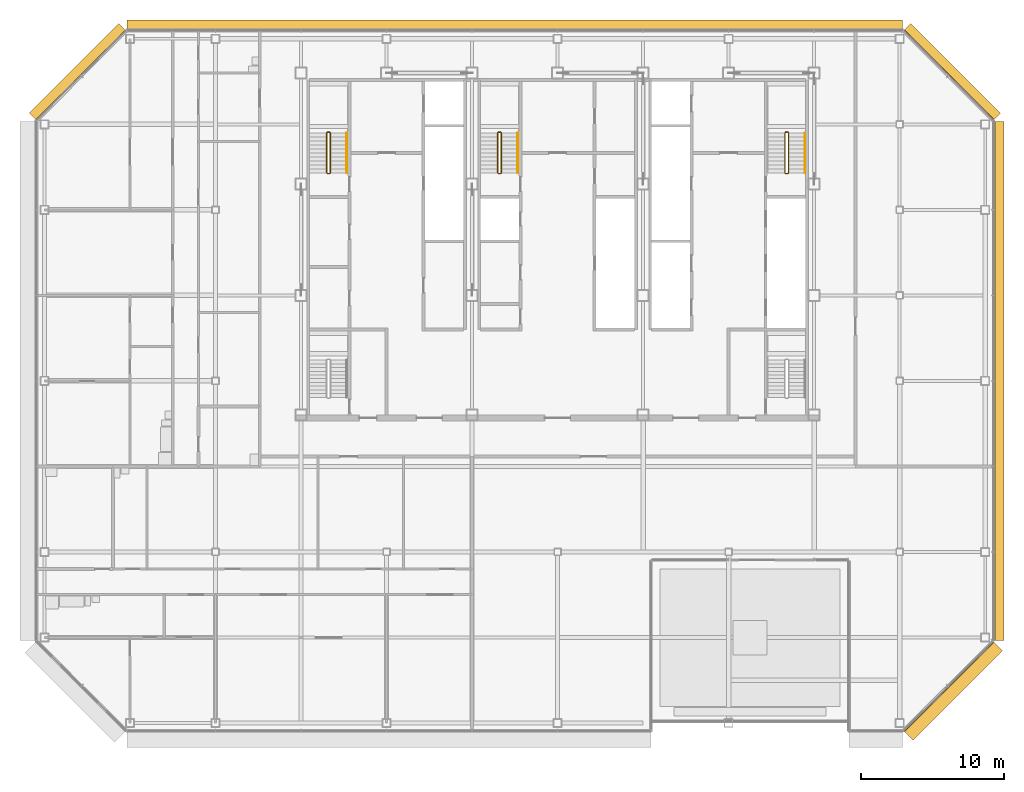
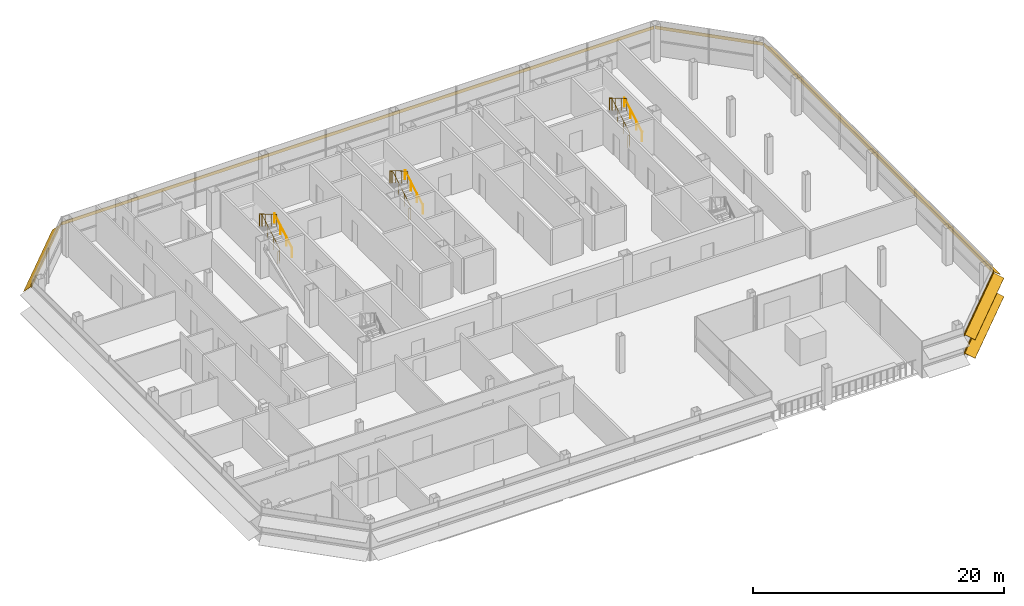
# One storey, part 28 of 30: 6 railings, 5 shading devices.
"""IFC4 building model written with IfcOpenShell, lengths in metres."""

from ifc_helpers import new_model, si_unit, direction, frame, origin, origin_2d, place, context, subcontext, project, spatial, polyline, circle, outline, composite_profile, extrude, material, type_object, element, save


model = new_model("IFC4")

# Units and contexts
model_context = context("Model", 3, precision=1e-05, world=origin(), true_north=direction((0.0, 1.0)))
body_context = subcontext(model_context, "Body", "Model", "MODEL_VIEW")
ifc_project = project(units=[si_unit("LENGTHUNIT", "METRE"), si_unit("AREAUNIT", "SQUARE_METRE"), si_unit("VOLUMEUNIT", "CUBIC_METRE"), si_unit("PLANEANGLEUNIT", "RADIAN"), si_unit("MASSUNIT", "GRAM", prefix="KILO")], contexts=[model_context])

# Site, building, storey
site_placement = place(None, origin())
site = spatial("IfcSite", under=ifc_project, at=site_placement, CompositionType="ELEMENT")
building_placement = place(site_placement, origin())
building = spatial("IfcBuilding", under=site, at=building_placement, Name="Sorahane Residences", CompositionType="ELEMENT")
storey_placement = place(building_placement, frame((0.0, 0.0, 263.0)))
storey = spatial("IfcBuildingStorey", under=building, at=storey_placement, Name="L62", CompositionType="ELEMENT", Elevation=263.0)

# Shading devices
ifc_material_1 = material(Name="Terracotta anodised aluminium", Category="masonry")
shading_device_type_1 = type_object("IfcShadingDeviceType", Name="Louvre sunshade blade E terracotta aluminium 700", PredefinedType="JALOUSIE", material=ifc_material_1)
shading_device_1_placement = place(storey_placement, frame((54.60009765625, 5.801513671875, 2.699951171875), z_axis=(0.0, 1.0, 0.0), x_axis=(-1.0, 0.0, 0.0)))
element("IfcShadingDevice", 1, at=shading_device_1_placement, inside=storey, type_object=shading_device_type_1, Name="Louvre sunshade blade bank E L62 E2", PredefinedType="JALOUSIE", context=body_context, shape_type="SweptSolid", body=[
    extrude(outline(polyline([(-0.719970703125, -0.49365234375), (-0.719970703125, -0.523681640625), (-0.080078125, -0.05859375), (-0.080078125, -0.14990234375), (-0.02001953125, -0.14990234375), (-0.02001953125, -0.014892578125), (-0.02001953125, 0.014892578125), (-0.02001953125, 0.14990234375), (-0.080078125, 0.14990234375), (-0.080078125, -0.028564453125), (-0.719970703125, -0.49365234375)])), origin(), (0.0, 0.0, 1.0), 36.39697265625),
])
ifc_material_2 = material(Name="Terracotta anodised aluminium", Category="masonry")
shading_device_type_2 = type_object("IfcShadingDeviceType", Name="Louvre sunshade blade N terracotta aluminium 700", PredefinedType="JALOUSIE", material=ifc_material_2)
shading_device_2_placement = place(storey_placement, frame((48.198486328125, 48.60009765625, 2.699951171875), z_axis=(-1.0, 0.0, 0.0), x_axis=(0.0, -1.0, 0.0)))
element("IfcShadingDevice", 2, at=shading_device_2_placement, inside=storey, type_object=shading_device_type_2, Name="Louvre sunshade blade bank N L62 N1", PredefinedType="JALOUSIE", context=body_context, shape_type="SweptSolid", body=[
    extrude(outline(polyline([(-0.719970703125, -0.660888671875), (-0.719970703125, -0.69091796875), (-0.080078125, -0.072998046875), (-0.080078125, -0.14990234375), (-0.02001953125, -0.14990234375), (-0.02001953125, -0.014892578125), (-0.02001953125, 0.014892578125), (-0.02001953125, 0.14990234375), (-0.080078125, 0.14990234375), (-0.080078125, -0.04296875), (-0.719970703125, -0.660888671875)])), origin(), (0.0, 0.0, 1.0), 54.39697265625),
])
ifc_material_3 = material(Name="Terracotta anodised aluminium", Category="masonry")
shading_device_type_3 = type_object("IfcShadingDeviceType", Name="Louvre sunshade blade NE terracotta aluminium 700", PredefinedType="JALOUSIE", material=ifc_material_3)
shading_device_3_placement = place(storey_placement, frame((54.564697265625, 42.283935546875, 2.699951171875), z_axis=(-0.707106781187, 0.707106781187, 0.0), x_axis=(-0.707106781187, -0.707106781187, 0.0)))
element("IfcShadingDevice", 3, at=shading_device_3_placement, inside=storey, type_object=shading_device_type_3, Name="Louvre sunshade blade bank NE L62 NE1", PredefinedType="JALOUSIE", context=body_context, shape_type="SweptSolid", body=[
    extrude(outline(polyline([(-0.719970703125, -0.572509765625), (-0.719970703125, -0.602294921875), (-0.080078125, -0.065185546875), (-0.080078125, -0.14990234375), (-0.02001953125, -0.14990234375), (-0.02001953125, -0.014892578125), (-0.02001953125, 0.014892578125), (-0.02001953125, 0.14990234375), (-0.080078125, 0.14990234375), (-0.080078125, -0.035400390625), (-0.719970703125, -0.572509765625)])), origin(), (0.0, 0.0, 1.0), 8.88232421875),
])
ifc_material_4 = material(Name="Terracotta anodised aluminium", Category="masonry")
shading_device_type_4 = type_object("IfcShadingDeviceType", Name="Louvre sunshade blade NW terracotta aluminium 700", PredefinedType="JALOUSIE", material=ifc_material_4)
shading_device_4_placement = place(storey_placement, frame((-6.283935546875, 48.564697265625, 2.699951171875), z_axis=(-0.707106781187, -0.707106781187, 0.0), x_axis=(0.707106781187, -0.707106781187, 0.0)))
element("IfcShadingDevice", 4, at=shading_device_4_placement, inside=storey, type_object=shading_device_type_4, Name="Louvre sunshade blade bank NW L62 NW1", PredefinedType="JALOUSIE", context=body_context, shape_type="SweptSolid", body=[
    extrude(outline(polyline([(-0.719970703125, -0.660888671875), (-0.719970703125, -0.69091796875), (-0.080078125, -0.072998046875), (-0.080078125, -0.14990234375), (-0.02001953125, -0.14990234375), (-0.02001953125, -0.014892578125), (-0.02001953125, 0.014892578125), (-0.02001953125, 0.14990234375), (-0.080078125, 0.14990234375), (-0.080078125, -0.04296875), (-0.719970703125, -0.660888671875)])), origin(), (0.0, 0.0, 1.0), 8.88232421875),
])
ifc_material_5 = material(Name="Terracotta anodised aluminium", Category="masonry")
shading_device_type_5 = type_object("IfcShadingDeviceType", Name="Louvre sunshade blade SE terracotta aluminium 900", PredefinedType="JALOUSIE", material=ifc_material_5)
shading_device_5_placement = place(storey_placement, frame((48.283935546875, -0.564697265625, 0.89990234375), z_axis=(0.707106781187, 0.707106781187, 0.0), x_axis=(-0.707106781187, 0.707106781187, 0.0)))
element("IfcShadingDevice", 5, at=shading_device_5_placement, inside=storey, type_object=shading_device_type_5, Name="Louvre sunshade blade bank SE L62 SE1", PredefinedType="JALOUSIE", context=body_context, shape_type="SweptSolid", body=[
    extrude(composite_profile([outline(polyline([(-0.919921875, -0.3486328125), (-0.919921875, -0.378662109375), (-0.080078125, -0.039306640625), (-0.080078125, -0.14990234375), (-0.02001953125, -0.14990234375), (-0.02001953125, -0.014892578125), (-0.02001953125, 0.014892578125), (-0.02001953125, 0.14990234375), (-0.080078125, 0.14990234375), (-0.080078125, -0.00927734375), (-0.919921875, -0.3486328125)])), outline(polyline([(-0.919921875, 1.451416015625), (-0.919921875, 1.42138671875), (-0.080078125, 1.7607421875), (-0.080078125, 1.64990234375), (-0.02001953125, 1.64990234375), (-0.02001953125, 1.784912109375), (-0.02001953125, 1.81494140625), (-0.02001953125, 1.949951171875), (-0.080078125, 1.949951171875), (-0.080078125, 1.790771484375), (-0.919921875, 1.451416015625)]))]), origin(), (0.0, 0.0, 1.0), 8.88232421875),
])

# Railings
ifc_material_6 = material(Name="Steel Q355B", Category="steel")
railing_type_1 = type_object("IfcRailingType", Name="Stair guard 1200 Steel Q355B", PredefinedType="GUARDRAIL", material=ifc_material_6)
railing_1_placement = place(storey_placement, frame((7.85009765625, 38.550048828125, 0.0)))
element("IfcRailing", 6, at=railing_1_placement, inside=storey, type_object=railing_type_1, Name="L62 S1 stair guard 1", PredefinedType="GUARDRAIL", context=body_context, shape_type="SweptSolid", body=[
    extrude(circle(Radius=0.02392578125, at=origin_2d()), frame((0.0, 0.0, 1.17578125), z_axis=(1.0, 0.0, 0.0), x_axis=(0.0, 1.0, 0.0)), (0.0, 0.0, 1.0), 0.14990234375),
    extrude(circle(Radius=0.02392578125, at=origin_2d()), frame((0.14990234375, 0.0, 1.17578125), z_axis=(0.280808744504, 0.280808744504, 0.917765164963), x_axis=(-0.707106781187, 0.707106781187, 0.0)), (0.0, 0.0, 1.0), 0.17822265625),
    extrude(circle(Radius=0.02392578125, at=origin_2d()), frame((0.199951171875, 0.050048828125, 1.33935546875), z_axis=(0.0, 0.863341702679, 0.504619762213), x_axis=(-1.0, 0.0, 0.0)), (0.0, 0.0, 1.0), 3.242919921875),
    extrude(circle(Radius=0.02392578125, at=origin_2d()), frame((0.199951171875, 2.849853515625, 2.97607421875), z_axis=(-0.707106781187, 0.707106781187, 0.0), x_axis=(-0.707106781187, -0.707106781187, 0.0)), (0.0, 0.0, 1.0), 0.07080078125),
    extrude(circle(Radius=0.02392578125, at=origin_2d()), frame((0.14990234375, 2.89990234375, 2.97607421875), z_axis=(-1.0, 0.0, 0.0), x_axis=(0.0, -1.0, 0.0)), (0.0, 0.0, 1.0), 0.14990234375),
    extrude(circle(Radius=0.02392578125, at=origin_2d()), frame((0.0, 2.89990234375, 2.97607421875), z_axis=(-0.280808744504, -0.280808744504, 0.917765164963), x_axis=(0.707106781187, -0.707106781187, 0.0)), (0.0, 0.0, 1.0), 0.17822265625),
    extrude(circle(Radius=0.02392578125, at=origin_2d()), frame((-0.050048828125, 2.849853515625, 3.1396484375), z_axis=(0.0, -0.863341702679, 0.504619762213), x_axis=(1.0, 0.0, 0.0)), (0.0, 0.0, 1.0), 3.242919921875),
    extrude(circle(Radius=0.02099609375, at=origin_2d()), origin(), (0.0, 0.0, 1.0), 1.15185546875),
    extrude(circle(Radius=0.02099609375, at=origin_2d()), frame((0.14990234375, 0.0, 0.0)), (0.0, 0.0, 1.0), 1.15185546875),
    extrude(circle(Radius=0.02099609375, at=origin_2d()), frame((0.199951171875, 0.050048828125, 0.16357421875)), (0.0, 0.0, 1.0), 1.15185546875),
    extrude(circle(Radius=0.02099609375, at=origin_2d()), frame((0.199951171875, 0.9833984375, 0.708984375)), (0.0, 0.0, 1.0), 1.15185546875),
    extrude(circle(Radius=0.02099609375, at=origin_2d()), frame((0.199951171875, 1.91650390625, 1.254638671875)), (0.0, 0.0, 1.0), 1.15185546875),
    extrude(circle(Radius=0.02099609375, at=origin_2d()), frame((0.199951171875, 2.849853515625, 1.800048828125)), (0.0, 0.0, 1.0), 1.15185546875),
    extrude(circle(Radius=0.02099609375, at=origin_2d()), frame((0.14990234375, 2.89990234375, 1.800048828125)), (0.0, 0.0, 1.0), 1.15185546875),
    extrude(circle(Radius=0.02099609375, at=origin_2d()), frame((0.0, 2.89990234375, 1.800048828125)), (0.0, 0.0, 1.0), 1.15185546875),
    extrude(circle(Radius=0.02099609375, at=origin_2d()), frame((-0.050048828125, 2.849853515625, 1.963623046875)), (0.0, 0.0, 1.0), 1.15185546875),
    extrude(circle(Radius=0.02099609375, at=origin_2d()), frame((-0.050048828125, 1.91650390625, 2.509033203125)), (0.0, 0.0, 1.0), 1.15185546875),
    extrude(circle(Radius=0.02099609375, at=origin_2d()), frame((-0.050048828125, 0.9833984375, 3.0546875)), (0.0, 0.0, 1.0), 1.15185546875),
    extrude(circle(Radius=0.02099609375, at=origin_2d()), frame((-0.050048828125, 0.050048828125, 3.60009765625)), (0.0, 0.0, 1.0), 1.15185546875),
])
railing_2_placement = place(storey_placement, frame((40.0, 38.550048828125, 0.0)))
element("IfcRailing", 7, at=railing_2_placement, inside=storey, type_object=railing_type_1, Name="L62 S2 stair guard 1", PredefinedType="GUARDRAIL", context=body_context, shape_type="SweptSolid", body=[
    extrude(circle(Radius=0.02392578125, at=origin_2d()), frame((0.0, 0.0, 1.17578125), z_axis=(1.0, 0.0, 0.0), x_axis=(0.0, 1.0, 0.0)), (0.0, 0.0, 1.0), 0.14990234375),
    extrude(circle(Radius=0.02392578125, at=origin_2d()), frame((0.14990234375, 0.0, 1.17578125), z_axis=(0.280808744504, 0.280808744504, 0.917765164963), x_axis=(-0.707106781187, 0.707106781187, 0.0)), (0.0, 0.0, 1.0), 0.17822265625),
    extrude(circle(Radius=0.02392578125, at=origin_2d()), frame((0.199951171875, 0.050048828125, 1.33935546875), z_axis=(0.0, 0.863341702679, 0.504619762213), x_axis=(-1.0, 0.0, 0.0)), (0.0, 0.0, 1.0), 3.242919921875),
    extrude(circle(Radius=0.02392578125, at=origin_2d()), frame((0.199951171875, 2.849853515625, 2.97607421875), z_axis=(-0.707106781187, 0.707106781187, 0.0), x_axis=(-0.707106781187, -0.707106781187, 0.0)), (0.0, 0.0, 1.0), 0.07080078125),
    extrude(circle(Radius=0.02392578125, at=origin_2d()), frame((0.14990234375, 2.89990234375, 2.97607421875), z_axis=(-1.0, 0.0, 0.0), x_axis=(0.0, -1.0, 0.0)), (0.0, 0.0, 1.0), 0.14990234375),
    extrude(circle(Radius=0.02392578125, at=origin_2d()), frame((0.0, 2.89990234375, 2.97607421875), z_axis=(-0.280808744504, -0.280808744504, 0.917765164963), x_axis=(0.707106781187, -0.707106781187, 0.0)), (0.0, 0.0, 1.0), 0.17822265625),
    extrude(circle(Radius=0.02392578125, at=origin_2d()), frame((-0.050048828125, 2.849853515625, 3.1396484375), z_axis=(0.0, -0.863341702679, 0.504619762213), x_axis=(1.0, 0.0, 0.0)), (0.0, 0.0, 1.0), 3.242919921875),
    extrude(circle(Radius=0.02099609375, at=origin_2d()), origin(), (0.0, 0.0, 1.0), 1.15185546875),
    extrude(circle(Radius=0.02099609375, at=origin_2d()), frame((0.14990234375, 0.0, 0.0)), (0.0, 0.0, 1.0), 1.15185546875),
    extrude(circle(Radius=0.02099609375, at=origin_2d()), frame((0.199951171875, 0.050048828125, 0.16357421875)), (0.0, 0.0, 1.0), 1.15185546875),
    extrude(circle(Radius=0.02099609375, at=origin_2d()), frame((0.199951171875, 0.9833984375, 0.708984375)), (0.0, 0.0, 1.0), 1.15185546875),
    extrude(circle(Radius=0.02099609375, at=origin_2d()), frame((0.199951171875, 1.91650390625, 1.254638671875)), (0.0, 0.0, 1.0), 1.15185546875),
    extrude(circle(Radius=0.02099609375, at=origin_2d()), frame((0.199951171875, 2.849853515625, 1.800048828125)), (0.0, 0.0, 1.0), 1.15185546875),
    extrude(circle(Radius=0.02099609375, at=origin_2d()), frame((0.14990234375, 2.89990234375, 1.800048828125)), (0.0, 0.0, 1.0), 1.15185546875),
    extrude(circle(Radius=0.02099609375, at=origin_2d()), frame((0.0, 2.89990234375, 1.800048828125)), (0.0, 0.0, 1.0), 1.15185546875),
    extrude(circle(Radius=0.02099609375, at=origin_2d()), frame((-0.050048828125, 2.849853515625, 1.963623046875)), (0.0, 0.0, 1.0), 1.15185546875),
    extrude(circle(Radius=0.02099609375, at=origin_2d()), frame((-0.050048828125, 1.91650390625, 2.509033203125)), (0.0, 0.0, 1.0), 1.15185546875),
    extrude(circle(Radius=0.02099609375, at=origin_2d()), frame((-0.050048828125, 0.9833984375, 3.0546875)), (0.0, 0.0, 1.0), 1.15185546875),
    extrude(circle(Radius=0.02099609375, at=origin_2d()), frame((-0.050048828125, 0.050048828125, 3.60009765625)), (0.0, 0.0, 1.0), 1.15185546875),
])
railing_3_placement = place(storey_placement, frame((19.85009765625, 38.550048828125, 0.0)))
element("IfcRailing", 8, at=railing_3_placement, inside=storey, type_object=railing_type_1, Name="L62 S3 stair guard 1", PredefinedType="GUARDRAIL", context=body_context, shape_type="SweptSolid", body=[
    extrude(circle(Radius=0.02392578125, at=origin_2d()), frame((0.0, 0.0, 1.17578125), z_axis=(1.0, 0.0, 0.0), x_axis=(0.0, 1.0, 0.0)), (0.0, 0.0, 1.0), 0.14990234375),
    extrude(circle(Radius=0.02392578125, at=origin_2d()), frame((0.14990234375, 0.0, 1.17578125), z_axis=(0.280808744504, 0.280808744504, 0.917765164963), x_axis=(-0.707106781187, 0.707106781187, 0.0)), (0.0, 0.0, 1.0), 0.17822265625),
    extrude(circle(Radius=0.02392578125, at=origin_2d()), frame((0.199951171875, 0.050048828125, 1.33935546875), z_axis=(0.0, 0.863341702679, 0.504619762213), x_axis=(-1.0, 0.0, 0.0)), (0.0, 0.0, 1.0), 3.242919921875),
    extrude(circle(Radius=0.02392578125, at=origin_2d()), frame((0.199951171875, 2.849853515625, 2.97607421875), z_axis=(-0.707106781187, 0.707106781187, 0.0), x_axis=(-0.707106781187, -0.707106781187, 0.0)), (0.0, 0.0, 1.0), 0.07080078125),
    extrude(circle(Radius=0.02392578125, at=origin_2d()), frame((0.14990234375, 2.89990234375, 2.97607421875), z_axis=(-1.0, 0.0, 0.0), x_axis=(0.0, -1.0, 0.0)), (0.0, 0.0, 1.0), 0.14990234375),
    extrude(circle(Radius=0.02392578125, at=origin_2d()), frame((0.0, 2.89990234375, 2.97607421875), z_axis=(-0.280808744504, -0.280808744504, 0.917765164963), x_axis=(0.707106781187, -0.707106781187, 0.0)), (0.0, 0.0, 1.0), 0.17822265625),
    extrude(circle(Radius=0.02392578125, at=origin_2d()), frame((-0.050048828125, 2.849853515625, 3.1396484375), z_axis=(0.0, -0.863341702679, 0.504619762213), x_axis=(1.0, 0.0, 0.0)), (0.0, 0.0, 1.0), 3.242919921875),
    extrude(circle(Radius=0.02099609375, at=origin_2d()), origin(), (0.0, 0.0, 1.0), 1.15185546875),
    extrude(circle(Radius=0.02099609375, at=origin_2d()), frame((0.14990234375, 0.0, 0.0)), (0.0, 0.0, 1.0), 1.15185546875),
    extrude(circle(Radius=0.02099609375, at=origin_2d()), frame((0.199951171875, 0.050048828125, 0.16357421875)), (0.0, 0.0, 1.0), 1.15185546875),
    extrude(circle(Radius=0.02099609375, at=origin_2d()), frame((0.199951171875, 0.9833984375, 0.708984375)), (0.0, 0.0, 1.0), 1.15185546875),
    extrude(circle(Radius=0.02099609375, at=origin_2d()), frame((0.199951171875, 1.91650390625, 1.254638671875)), (0.0, 0.0, 1.0), 1.15185546875),
    extrude(circle(Radius=0.02099609375, at=origin_2d()), frame((0.199951171875, 2.849853515625, 1.800048828125)), (0.0, 0.0, 1.0), 1.15185546875),
    extrude(circle(Radius=0.02099609375, at=origin_2d()), frame((0.14990234375, 2.89990234375, 1.800048828125)), (0.0, 0.0, 1.0), 1.15185546875),
    extrude(circle(Radius=0.02099609375, at=origin_2d()), frame((0.0, 2.89990234375, 1.800048828125)), (0.0, 0.0, 1.0), 1.15185546875),
    extrude(circle(Radius=0.02099609375, at=origin_2d()), frame((-0.050048828125, 2.849853515625, 1.963623046875)), (0.0, 0.0, 1.0), 1.15185546875),
    extrude(circle(Radius=0.02099609375, at=origin_2d()), frame((-0.050048828125, 1.91650390625, 2.509033203125)), (0.0, 0.0, 1.0), 1.15185546875),
    extrude(circle(Radius=0.02099609375, at=origin_2d()), frame((-0.050048828125, 0.9833984375, 3.0546875)), (0.0, 0.0, 1.0), 1.15185546875),
    extrude(circle(Radius=0.02099609375, at=origin_2d()), frame((-0.050048828125, 0.050048828125, 3.60009765625)), (0.0, 0.0, 1.0), 1.15185546875),
])
ifc_material_7 = material(Name="Steel Q355B", Category="steel")
railing_type_2 = type_object("IfcRailingType", Name="Stair handrail 900 Steel Q355B", PredefinedType="HANDRAIL", material=ifc_material_7)
for number, where, name in (
    (9, (9.199951171875, 38.60009765625, 0.16357421875), "L62 S1 stair handrail 1"),
    (10, (41.35009765625, 38.60009765625, 0.16357421875), "L62 S2 stair handrail 1"),
    (11, (21.199951171875, 38.60009765625, 0.16357421875), "L62 S3 stair handrail 1"),
):
    element("IfcRailing", number, at=place(storey_placement, frame(where)), inside=storey, type_object=railing_type_2, Name=name, PredefinedType="HANDRAIL", context=body_context, shape_type="SweptSolid", body=[
        extrude(circle(Radius=0.02392578125, at=origin_2d()), frame((0.0, 0.0, 0.8759765625), z_axis=(0.0, 0.863341702679, 0.504619762213), x_axis=(-1.0, 0.0, 0.0)), (0.0, 0.0, 1.0), 3.242919921875),
        extrude(circle(Radius=0.02099609375, at=origin_2d()), origin(), (0.0, 0.0, 1.0), 0.851806640625),
        extrude(circle(Radius=0.02099609375, at=origin_2d()), frame((0.0, 0.933349609375, 0.54541015625)), (0.0, 0.0, 1.0), 0.851806640625),
        extrude(circle(Radius=0.02099609375, at=origin_2d()), frame((0.0, 1.866455078125, 1.091064453125)), (0.0, 0.0, 1.0), 0.851806640625),
        extrude(circle(Radius=0.02099609375, at=origin_2d()), frame((0.0, 2.7998046875, 1.636474609375)), (0.0, 0.0, 1.0), 0.851806640625),
    ])

save(model, "model.ifc")
